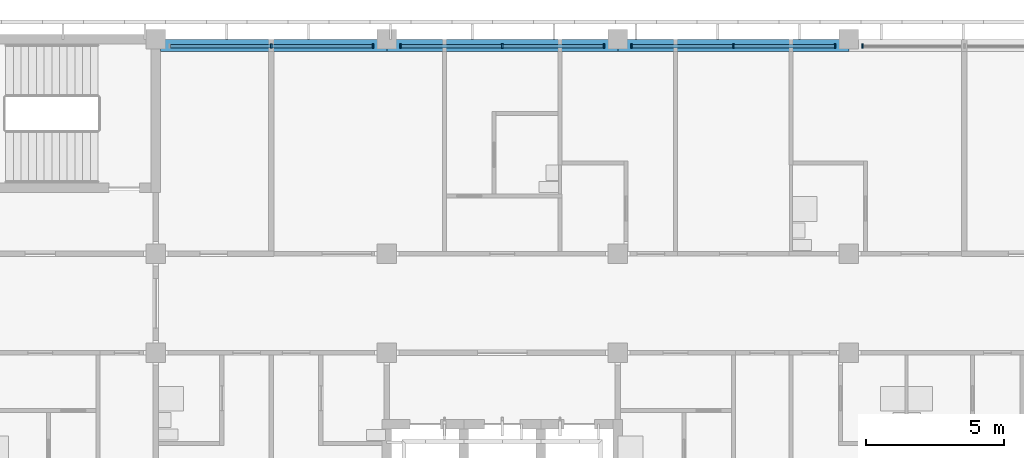
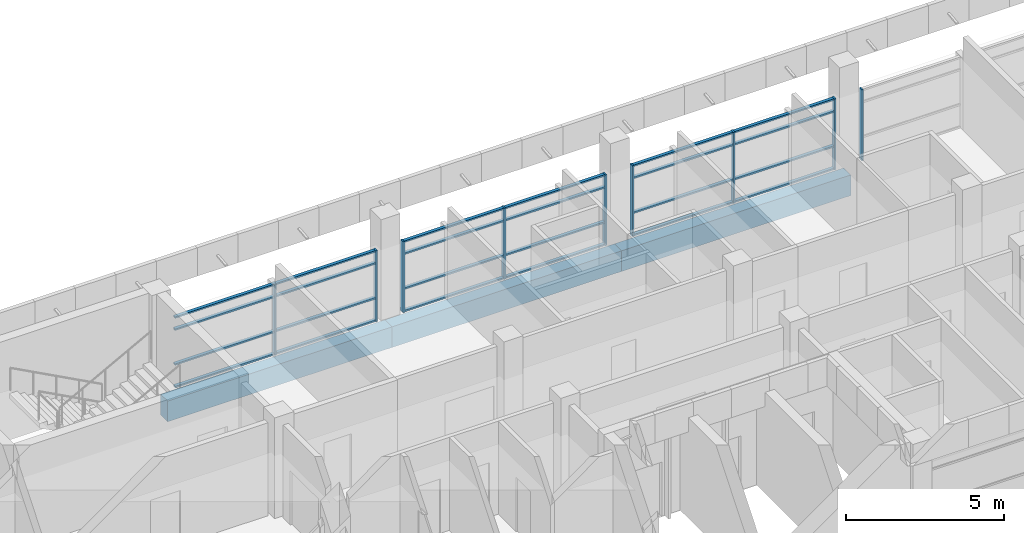
# One storey, part 12 of 46: 33 members, 3 beams, 4 elements without a shape of their own.
"""IFC4 building model written with IfcOpenShell, lengths in metres."""

from ifc_helpers import new_model, si_unit, direction, frame, origin, origin_2d, place, context, subcontext, project, spatial, rectangle, extrude, material, material_profile, profile_set, type_object, element, aggregate, save


model = new_model("IFC4")

# Units and contexts
model_context = context("Model", 3, precision=1e-05, world=origin(), true_north=direction((0.0, 1.0)))
body_context = subcontext(model_context, "Body", "Model", "MODEL_VIEW")
ifc_project = project(units=[si_unit("LENGTHUNIT", "METRE"), si_unit("AREAUNIT", "SQUARE_METRE"), si_unit("VOLUMEUNIT", "CUBIC_METRE"), si_unit("PLANEANGLEUNIT", "RADIAN"), si_unit("MASSUNIT", "GRAM", prefix="KILO")], contexts=[model_context])

# Site, building, storey
site_placement = place(None, origin())
site = spatial("IfcSite", under=ifc_project, at=site_placement, CompositionType="ELEMENT")
building_placement = place(site_placement, origin())
building = spatial("IfcBuilding", under=site, at=building_placement, Name="Bougainvillea Quay General Hospital", CompositionType="ELEMENT")
storey_placement = place(building_placement, frame((0.0, 0.0, 28.800048828125)))
storey = spatial("IfcBuildingStorey", under=building, at=storey_placement, Name="L06", CompositionType="ELEMENT", Elevation=28.800048828125)

# Curtain wall, member
ifc_material_1 = material(Name="Aluminium curtain wall system, powder-coated glazed", Category="aluminium")
curtain_wall_type = type_object("IfcCurtainWallType", Name="Unitised curtain wall CW-3730", PredefinedType="NOTDEFINED", material=ifc_material_1)
curtain_wall_1_placement = place(storey_placement, origin())
curtain_wall_1 = element("IfcCurtainWall", 1, at=curtain_wall_1_placement, inside=storey, type_object=curtain_wall_type, Name="CW-4200 00", PredefinedType="NOTDEFINED")
ifc_material_2 = material(Name="Aluminium mullion, powder-coated charcoal", Category="aluminium")
ifc_material_profile_1 = material_profile(ifc_material_2, rectangle(XDim=0.159912109375, YDim=0.06005859375, at=origin_2d()))
ifc_profile_set_1 = profile_set([ifc_material_profile_1], Name="Aluminium mullion, powder-coated charcoal")
member_type_1 = type_object("IfcMemberType", Name="Curtain wall mullion 160x60", PredefinedType="MULLION", material=ifc_profile_set_1)
member_1_placement = place(storey_placement, frame((168.5, 159.35009765625, 0.0), z_axis=(0.0, 0.0, 1.0), x_axis=(0.0, -1.0, 0.0)))
member_1 = element("IfcMember", 2, at=member_1_placement, type_object=member_type_1, Name="CW-4200 mullion 3", PredefinedType="MULLION", context=body_context, shape_type="SweptSolid", body=[
    extrude(rectangle(XDim=0.159912109375, YDim=0.06005859375, at=origin_2d()), origin(), (0.0, 0.0, 1.0), 2.75),
])
aggregate(curtain_wall_1, [member_1])

# Curtain wall, members
curtain_wall_2_placement = place(storey_placement, origin())
curtain_wall_2 = element("IfcCurtainWall", 3, at=curtain_wall_2_placement, inside=storey, type_object=curtain_wall_type, Name="CW-4200 01", PredefinedType="NOTDEFINED")
member_2_placement = place(storey_placement, frame((167.5, 159.35009765625, 0.0), z_axis=(0.0, 0.0, 1.0), x_axis=(0.0, -1.0, 0.0)))
member_2 = element("IfcMember", 4, at=member_2_placement, type_object=member_type_1, Name="CW-4200 mullion 1", PredefinedType="MULLION", context=body_context, shape_type="SweptSolid", body=[
    extrude(rectangle(XDim=0.159912109375, YDim=0.06005859375, at=origin_2d()), origin(), (0.0, 0.0, 1.0), 2.75),
])
member_3_placement = place(storey_placement, frame((163.800048828125, 159.35009765625, 0.0), z_axis=(0.0, 0.0, 1.0), x_axis=(0.0, -1.0, 0.0)))
member_3 = element("IfcMember", 5, at=member_3_placement, type_object=member_type_1, Name="CW-4200 mullion 2", PredefinedType="MULLION", context=body_context, shape_type="SweptSolid", body=[
    extrude(rectangle(XDim=0.159912109375, YDim=0.06005859375, at=origin_2d()), origin(), (0.0, 0.0, 1.0), 2.75),
])
member_4_placement = place(storey_placement, frame((160.10009765625, 159.35009765625, 0.0), z_axis=(0.0, 0.0, 1.0), x_axis=(0.0, -1.0, 0.0)))
member_4 = element("IfcMember", 6, at=member_4_placement, type_object=member_type_1, Name="CW-4200 mullion 3", PredefinedType="MULLION", context=body_context, shape_type="SweptSolid", body=[
    extrude(rectangle(XDim=0.159912109375, YDim=0.06005859375, at=origin_2d()), origin(), (0.0, 0.0, 1.0), 2.75),
])

curtain_wall_3_placement = place(storey_placement, origin())
curtain_wall_3 = element("IfcCurtainWall", 7, at=curtain_wall_3_placement, inside=storey, type_object=curtain_wall_type, Name="CW-4200 02", PredefinedType="NOTDEFINED")
member_5_placement = place(storey_placement, frame((159.10009765625, 159.35009765625, 0.0), z_axis=(0.0, 0.0, 1.0), x_axis=(0.0, -1.0, 0.0)))
member_5 = element("IfcMember", 8, at=member_5_placement, type_object=member_type_1, Name="CW-4200 mullion 1", PredefinedType="MULLION", context=body_context, shape_type="SweptSolid", body=[
    extrude(rectangle(XDim=0.159912109375, YDim=0.06005859375, at=origin_2d()), origin(), (0.0, 0.0, 1.0), 2.75),
])
member_6_placement = place(storey_placement, frame((155.39990234375, 159.35009765625, 0.0), z_axis=(0.0, 0.0, 1.0), x_axis=(0.0, -1.0, 0.0)))
member_6 = element("IfcMember", 9, at=member_6_placement, type_object=member_type_1, Name="CW-4200 mullion 2", PredefinedType="MULLION", context=body_context, shape_type="SweptSolid", body=[
    extrude(rectangle(XDim=0.159912109375, YDim=0.06005859375, at=origin_2d()), origin(), (0.0, 0.0, 1.0), 2.75),
])
member_7_placement = place(storey_placement, frame((151.699951171875, 159.35009765625, 0.0), z_axis=(0.0, 0.0, 1.0), x_axis=(0.0, -1.0, 0.0)))
member_7 = element("IfcMember", 10, at=member_7_placement, type_object=member_type_1, Name="CW-4200 mullion 3", PredefinedType="MULLION", context=body_context, shape_type="SweptSolid", body=[
    extrude(rectangle(XDim=0.159912109375, YDim=0.06005859375, at=origin_2d()), origin(), (0.0, 0.0, 1.0), 2.75),
])

curtain_wall_4_placement = place(storey_placement, origin())
curtain_wall_4 = element("IfcCurtainWall", 11, at=curtain_wall_4_placement, inside=storey, type_object=curtain_wall_type, Name="CW-4200 03", PredefinedType="NOTDEFINED")
member_8_placement = place(storey_placement, frame((150.699951171875, 159.35009765625, 0.0), z_axis=(0.0, 0.0, 1.0), x_axis=(0.0, -1.0, 0.0)))
member_8 = element("IfcMember", 12, at=member_8_placement, type_object=member_type_1, Name="CW-4200 mullion 1", PredefinedType="MULLION", context=body_context, shape_type="SweptSolid", body=[
    extrude(rectangle(XDim=0.159912109375, YDim=0.06005859375, at=origin_2d()), origin(), (0.0, 0.0, 1.0), 2.75),
])
member_9_placement = place(storey_placement, frame((147.0, 159.35009765625, 0.0), z_axis=(0.0, 0.0, 1.0), x_axis=(0.0, -1.0, 0.0)))
member_9 = element("IfcMember", 13, at=member_9_placement, type_object=member_type_1, Name="CW-4200 mullion 2", PredefinedType="MULLION", context=body_context, shape_type="SweptSolid", body=[
    extrude(rectangle(XDim=0.159912109375, YDim=0.06005859375, at=origin_2d()), origin(), (0.0, 0.0, 1.0), 2.75),
])

# Member
ifc_material_3 = material(Name="Aluminium transom, powder-coated charcoal", Category="aluminium")
ifc_material_profile_2 = material_profile(ifc_material_3, rectangle(XDim=0.1201171875, YDim=0.06005859375, at=origin_2d()))
ifc_profile_set_2 = profile_set([ifc_material_profile_2], Name="Aluminium transom, powder-coated charcoal")
member_type_2 = type_object("IfcMemberType", Name="Curtain wall transom 120x60", PredefinedType="USERDEFINED", material=ifc_profile_set_2)
member_10_placement = place(storey_placement, frame((167.469970703125, 159.35009765625, 0.030029296875), z_axis=(-1.0, 0.0, 0.0), x_axis=(0.0, -1.0, 0.0)))
member_10 = element("IfcMember", 14, at=member_10_placement, type_object=member_type_2, Name="CW-4200 transom 1.1", ObjectType="TRANSOM", PredefinedType="USERDEFINED", context=body_context, shape_type="SweptSolid", body=[
    extrude(rectangle(XDim=0.1201171875, YDim=0.06005859375, at=origin_2d()), origin(), (0.0, 0.0, 1.0), 3.639892578125),
])

member_11_placement = place(storey_placement, frame((167.469970703125, 159.35009765625, 0.89990234375), z_axis=(-1.0, 0.0, 0.0), x_axis=(0.0, -1.0, 0.0)))
member_11 = element("IfcMember", 15, at=member_11_placement, type_object=member_type_2, Name="CW-4200 transom 1.2", ObjectType="TRANSOM", PredefinedType="USERDEFINED", context=body_context, shape_type="SweptSolid", body=[
    extrude(rectangle(XDim=0.1201171875, YDim=0.06005859375, at=origin_2d()), origin(), (0.0, 0.0, 1.0), 3.639892578125),
])

member_12_placement = place(storey_placement, frame((167.469970703125, 159.35009765625, 2.25), z_axis=(-1.0, 0.0, 0.0), x_axis=(0.0, -1.0, 0.0)))
member_12 = element("IfcMember", 16, at=member_12_placement, type_object=member_type_2, Name="CW-4200 transom 1.3", ObjectType="TRANSOM", PredefinedType="USERDEFINED", context=body_context, shape_type="SweptSolid", body=[
    extrude(rectangle(XDim=0.1201171875, YDim=0.06005859375, at=origin_2d()), origin(), (0.0, 0.0, 1.0), 3.639892578125),
])

member_13_placement = place(storey_placement, frame((167.469970703125, 159.35009765625, 2.719970703125), z_axis=(-1.0, 0.0, 0.0), x_axis=(0.0, -1.0, 0.0)))
member_13 = element("IfcMember", 17, at=member_13_placement, type_object=member_type_2, Name="CW-4200 transom 1.4", ObjectType="TRANSOM", PredefinedType="USERDEFINED", context=body_context, shape_type="SweptSolid", body=[
    extrude(rectangle(XDim=0.1201171875, YDim=0.06005859375, at=origin_2d()), origin(), (0.0, 0.0, 1.0), 3.639892578125),
])

member_14_placement = place(storey_placement, frame((163.77001953125, 159.35009765625, 0.030029296875), z_axis=(-1.0, 0.0, 0.0), x_axis=(0.0, -1.0, 0.0)))
member_14 = element("IfcMember", 18, at=member_14_placement, type_object=member_type_2, Name="CW-4200 transom 2.1", ObjectType="TRANSOM", PredefinedType="USERDEFINED", context=body_context, shape_type="SweptSolid", body=[
    extrude(rectangle(XDim=0.1201171875, YDim=0.06005859375, at=origin_2d()), origin(), (0.0, 0.0, 1.0), 3.64013671875),
])

member_15_placement = place(storey_placement, frame((163.77001953125, 159.35009765625, 0.89990234375), z_axis=(-1.0, 0.0, 0.0), x_axis=(0.0, -1.0, 0.0)))
member_15 = element("IfcMember", 19, at=member_15_placement, type_object=member_type_2, Name="CW-4200 transom 2.2", ObjectType="TRANSOM", PredefinedType="USERDEFINED", context=body_context, shape_type="SweptSolid", body=[
    extrude(rectangle(XDim=0.1201171875, YDim=0.06005859375, at=origin_2d()), origin(), (0.0, 0.0, 1.0), 3.64013671875),
])

member_16_placement = place(storey_placement, frame((163.77001953125, 159.35009765625, 2.25), z_axis=(-1.0, 0.0, 0.0), x_axis=(0.0, -1.0, 0.0)))
member_16 = element("IfcMember", 20, at=member_16_placement, type_object=member_type_2, Name="CW-4200 transom 2.3", ObjectType="TRANSOM", PredefinedType="USERDEFINED", context=body_context, shape_type="SweptSolid", body=[
    extrude(rectangle(XDim=0.1201171875, YDim=0.06005859375, at=origin_2d()), origin(), (0.0, 0.0, 1.0), 3.64013671875),
])

member_17_placement = place(storey_placement, frame((163.77001953125, 159.35009765625, 2.719970703125), z_axis=(-1.0, 0.0, 0.0), x_axis=(0.0, -1.0, 0.0)))
member_17 = element("IfcMember", 21, at=member_17_placement, type_object=member_type_2, Name="CW-4200 transom 2.4", ObjectType="TRANSOM", PredefinedType="USERDEFINED", context=body_context, shape_type="SweptSolid", body=[
    extrude(rectangle(XDim=0.1201171875, YDim=0.06005859375, at=origin_2d()), origin(), (0.0, 0.0, 1.0), 3.64013671875),
])

aggregate(curtain_wall_2, [member_2, member_3, member_4, member_10, member_11, member_12, member_13, member_14, member_15, member_16, member_17])

member_18_placement = place(storey_placement, frame((159.070068359375, 159.35009765625, 0.030029296875), z_axis=(-1.0, 0.0, 0.0), x_axis=(0.0, -1.0, 0.0)))
member_18 = element("IfcMember", 22, at=member_18_placement, type_object=member_type_2, Name="CW-4200 transom 1.1", ObjectType="TRANSOM", PredefinedType="USERDEFINED", context=body_context, shape_type="SweptSolid", body=[
    extrude(rectangle(XDim=0.1201171875, YDim=0.06005859375, at=origin_2d()), origin(), (0.0, 0.0, 1.0), 3.64013671875),
])

member_19_placement = place(storey_placement, frame((159.070068359375, 159.35009765625, 0.89990234375), z_axis=(-1.0, 0.0, 0.0), x_axis=(0.0, -1.0, 0.0)))
member_19 = element("IfcMember", 23, at=member_19_placement, type_object=member_type_2, Name="CW-4200 transom 1.2", ObjectType="TRANSOM", PredefinedType="USERDEFINED", context=body_context, shape_type="SweptSolid", body=[
    extrude(rectangle(XDim=0.1201171875, YDim=0.06005859375, at=origin_2d()), origin(), (0.0, 0.0, 1.0), 3.64013671875),
])

member_20_placement = place(storey_placement, frame((159.070068359375, 159.35009765625, 2.25), z_axis=(-1.0, 0.0, 0.0), x_axis=(0.0, -1.0, 0.0)))
member_20 = element("IfcMember", 24, at=member_20_placement, type_object=member_type_2, Name="CW-4200 transom 1.3", ObjectType="TRANSOM", PredefinedType="USERDEFINED", context=body_context, shape_type="SweptSolid", body=[
    extrude(rectangle(XDim=0.1201171875, YDim=0.06005859375, at=origin_2d()), origin(), (0.0, 0.0, 1.0), 3.64013671875),
])

member_21_placement = place(storey_placement, frame((159.070068359375, 159.35009765625, 2.719970703125), z_axis=(-1.0, 0.0, 0.0), x_axis=(0.0, -1.0, 0.0)))
member_21 = element("IfcMember", 25, at=member_21_placement, type_object=member_type_2, Name="CW-4200 transom 1.4", ObjectType="TRANSOM", PredefinedType="USERDEFINED", context=body_context, shape_type="SweptSolid", body=[
    extrude(rectangle(XDim=0.1201171875, YDim=0.06005859375, at=origin_2d()), origin(), (0.0, 0.0, 1.0), 3.64013671875),
])

member_22_placement = place(storey_placement, frame((155.3701171875, 159.35009765625, 0.030029296875), z_axis=(-1.0, 0.0, 0.0), x_axis=(0.0, -1.0, 0.0)))
member_22 = element("IfcMember", 26, at=member_22_placement, type_object=member_type_2, Name="CW-4200 transom 2.1", ObjectType="TRANSOM", PredefinedType="USERDEFINED", context=body_context, shape_type="SweptSolid", body=[
    extrude(rectangle(XDim=0.1201171875, YDim=0.06005859375, at=origin_2d()), origin(), (0.0, 0.0, 1.0), 3.64013671875),
])

member_23_placement = place(storey_placement, frame((155.3701171875, 159.35009765625, 0.89990234375), z_axis=(-1.0, 0.0, 0.0), x_axis=(0.0, -1.0, 0.0)))
member_23 = element("IfcMember", 27, at=member_23_placement, type_object=member_type_2, Name="CW-4200 transom 2.2", ObjectType="TRANSOM", PredefinedType="USERDEFINED", context=body_context, shape_type="SweptSolid", body=[
    extrude(rectangle(XDim=0.1201171875, YDim=0.06005859375, at=origin_2d()), origin(), (0.0, 0.0, 1.0), 3.64013671875),
])

member_24_placement = place(storey_placement, frame((155.3701171875, 159.35009765625, 2.25), z_axis=(-1.0, 0.0, 0.0), x_axis=(0.0, -1.0, 0.0)))
member_24 = element("IfcMember", 28, at=member_24_placement, type_object=member_type_2, Name="CW-4200 transom 2.3", ObjectType="TRANSOM", PredefinedType="USERDEFINED", context=body_context, shape_type="SweptSolid", body=[
    extrude(rectangle(XDim=0.1201171875, YDim=0.06005859375, at=origin_2d()), origin(), (0.0, 0.0, 1.0), 3.64013671875),
])

member_25_placement = place(storey_placement, frame((155.3701171875, 159.35009765625, 2.719970703125), z_axis=(-1.0, 0.0, 0.0), x_axis=(0.0, -1.0, 0.0)))
member_25 = element("IfcMember", 29, at=member_25_placement, type_object=member_type_2, Name="CW-4200 transom 2.4", ObjectType="TRANSOM", PredefinedType="USERDEFINED", context=body_context, shape_type="SweptSolid", body=[
    extrude(rectangle(XDim=0.1201171875, YDim=0.06005859375, at=origin_2d()), origin(), (0.0, 0.0, 1.0), 3.64013671875),
])

aggregate(curtain_wall_3, [member_5, member_6, member_7, member_18, member_19, member_20, member_21, member_22, member_23, member_24, member_25])

member_26_placement = place(storey_placement, frame((150.669921875, 159.35009765625, 0.030029296875), z_axis=(-1.0, 0.0, 0.0), x_axis=(0.0, -1.0, 0.0)))
member_26 = element("IfcMember", 30, at=member_26_placement, type_object=member_type_2, Name="CW-4200 transom 1.1", ObjectType="TRANSOM", PredefinedType="USERDEFINED", context=body_context, shape_type="SweptSolid", body=[
    extrude(rectangle(XDim=0.1201171875, YDim=0.06005859375, at=origin_2d()), origin(), (0.0, 0.0, 1.0), 3.639892578125),
])

member_27_placement = place(storey_placement, frame((150.669921875, 159.35009765625, 0.89990234375), z_axis=(-1.0, 0.0, 0.0), x_axis=(0.0, -1.0, 0.0)))
member_27 = element("IfcMember", 31, at=member_27_placement, type_object=member_type_2, Name="CW-4200 transom 1.2", ObjectType="TRANSOM", PredefinedType="USERDEFINED", context=body_context, shape_type="SweptSolid", body=[
    extrude(rectangle(XDim=0.1201171875, YDim=0.06005859375, at=origin_2d()), origin(), (0.0, 0.0, 1.0), 3.639892578125),
])

member_28_placement = place(storey_placement, frame((150.669921875, 159.35009765625, 2.25), z_axis=(-1.0, 0.0, 0.0), x_axis=(0.0, -1.0, 0.0)))
member_28 = element("IfcMember", 32, at=member_28_placement, type_object=member_type_2, Name="CW-4200 transom 1.3", ObjectType="TRANSOM", PredefinedType="USERDEFINED", context=body_context, shape_type="SweptSolid", body=[
    extrude(rectangle(XDim=0.1201171875, YDim=0.06005859375, at=origin_2d()), origin(), (0.0, 0.0, 1.0), 3.639892578125),
])

member_29_placement = place(storey_placement, frame((150.669921875, 159.35009765625, 2.719970703125), z_axis=(-1.0, 0.0, 0.0), x_axis=(0.0, -1.0, 0.0)))
member_29 = element("IfcMember", 33, at=member_29_placement, type_object=member_type_2, Name="CW-4200 transom 1.4", ObjectType="TRANSOM", PredefinedType="USERDEFINED", context=body_context, shape_type="SweptSolid", body=[
    extrude(rectangle(XDim=0.1201171875, YDim=0.06005859375, at=origin_2d()), origin(), (0.0, 0.0, 1.0), 3.639892578125),
])

member_30_placement = place(storey_placement, frame((146.969970703125, 159.35009765625, 0.030029296875), z_axis=(-1.0, 0.0, 0.0), x_axis=(0.0, -1.0, 0.0)))
member_30 = element("IfcMember", 34, at=member_30_placement, type_object=member_type_2, Name="CW-4200 transom 2.1", ObjectType="TRANSOM", PredefinedType="USERDEFINED", context=body_context, shape_type="SweptSolid", body=[
    extrude(rectangle(XDim=0.1201171875, YDim=0.06005859375, at=origin_2d()), origin(), (0.0, 0.0, 1.0), 3.639892578125),
])

member_31_placement = place(storey_placement, frame((146.969970703125, 159.35009765625, 0.89990234375), z_axis=(-1.0, 0.0, 0.0), x_axis=(0.0, -1.0, 0.0)))
member_31 = element("IfcMember", 35, at=member_31_placement, type_object=member_type_2, Name="CW-4200 transom 2.2", ObjectType="TRANSOM", PredefinedType="USERDEFINED", context=body_context, shape_type="SweptSolid", body=[
    extrude(rectangle(XDim=0.1201171875, YDim=0.06005859375, at=origin_2d()), origin(), (0.0, 0.0, 1.0), 3.639892578125),
])

member_32_placement = place(storey_placement, frame((146.969970703125, 159.35009765625, 2.25), z_axis=(-1.0, 0.0, 0.0), x_axis=(0.0, -1.0, 0.0)))
member_32 = element("IfcMember", 36, at=member_32_placement, type_object=member_type_2, Name="CW-4200 transom 2.3", ObjectType="TRANSOM", PredefinedType="USERDEFINED", context=body_context, shape_type="SweptSolid", body=[
    extrude(rectangle(XDim=0.1201171875, YDim=0.06005859375, at=origin_2d()), origin(), (0.0, 0.0, 1.0), 3.639892578125),
])

member_33_placement = place(storey_placement, frame((146.969970703125, 159.35009765625, 2.719970703125), z_axis=(-1.0, 0.0, 0.0), x_axis=(0.0, -1.0, 0.0)))
member_33 = element("IfcMember", 37, at=member_33_placement, type_object=member_type_2, Name="CW-4200 transom 2.4", ObjectType="TRANSOM", PredefinedType="USERDEFINED", context=body_context, shape_type="SweptSolid", body=[
    extrude(rectangle(XDim=0.1201171875, YDim=0.06005859375, at=origin_2d()), origin(), (0.0, 0.0, 1.0), 3.639892578125),
])

aggregate(curtain_wall_4, [member_8, member_9, member_26, member_27, member_28, member_29, member_30, member_31, member_32, member_33])

# Beams
ifc_material_4 = material(Name="Concrete C40", Category="concrete")
ifc_material_profile_3 = material_profile(ifc_material_4, rectangle(XDim=0.449951171875, YDim=0.800048828125, at=origin_2d()))
ifc_profile_set_3 = profile_set([ifc_material_profile_3], Name="Concrete C40")
beam_type = type_object("IfcBeamType", Name="RC BEAM 450x800 C40", PredefinedType="BEAM", material=ifc_profile_set_3)
beam_1_placement = place(storey_placement, frame((168.0, 159.375, -0.699951171875), z_axis=(-1.0, 0.0, 0.0), x_axis=(0.0, -1.0, 0.0)))
element("IfcBeam", 38, at=beam_1_placement, inside=storey, type_object=beam_type, Name="Edge beam L06", PredefinedType="BEAM", context=body_context, shape_type="SweptSolid", body=[
    extrude(rectangle(XDim=0.449951171875, YDim=0.800048828125, at=origin_2d()), origin(), (0.0, 0.0, 1.0), 8.39990234375),
])
beam_2_placement = place(storey_placement, frame((159.60009765625, 159.375, -0.699951171875), z_axis=(-1.0, 0.0, 0.0), x_axis=(0.0, -1.0, 0.0)))
element("IfcBeam", 39, at=beam_2_placement, inside=storey, type_object=beam_type, Name="Edge beam L06", PredefinedType="BEAM", context=body_context, shape_type="SweptSolid", body=[
    extrude(rectangle(XDim=0.449951171875, YDim=0.800048828125, at=origin_2d()), origin(), (0.0, 0.0, 1.0), 8.400146484375),
])
beam_3_placement = place(storey_placement, frame((151.199951171875, 159.375, -0.699951171875), z_axis=(-1.0, 0.0, 0.0), x_axis=(0.0, -1.0, 0.0)))
element("IfcBeam", 40, at=beam_3_placement, inside=storey, type_object=beam_type, Name="Edge beam L06", PredefinedType="BEAM", context=body_context, shape_type="SweptSolid", body=[
    extrude(rectangle(XDim=0.449951171875, YDim=0.800048828125, at=origin_2d()), origin(), (0.0, 0.0, 1.0), 8.224853515625),
])

save(model, "model.ifc")
